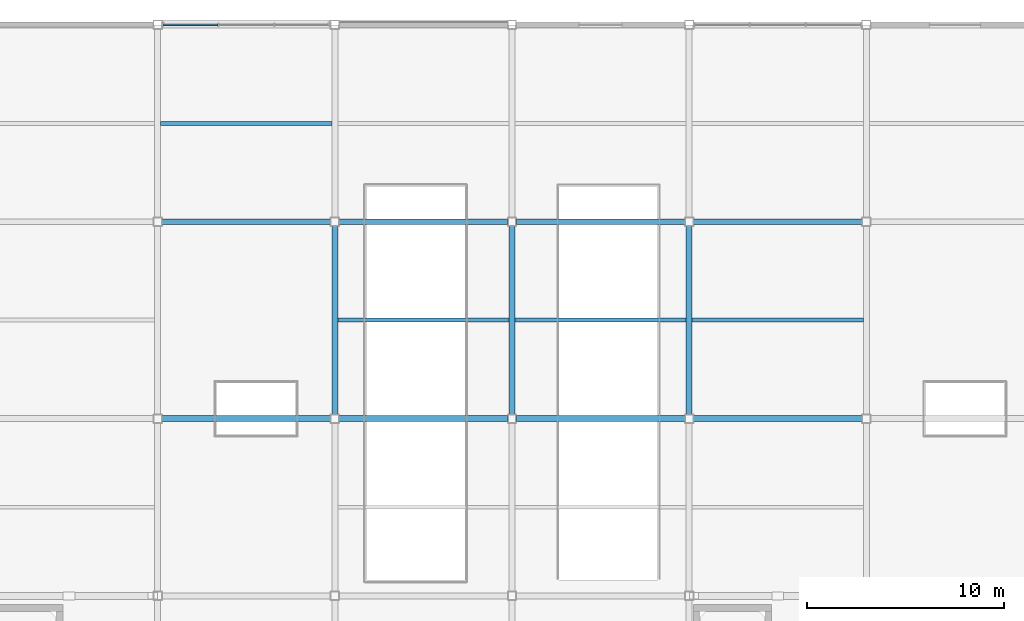
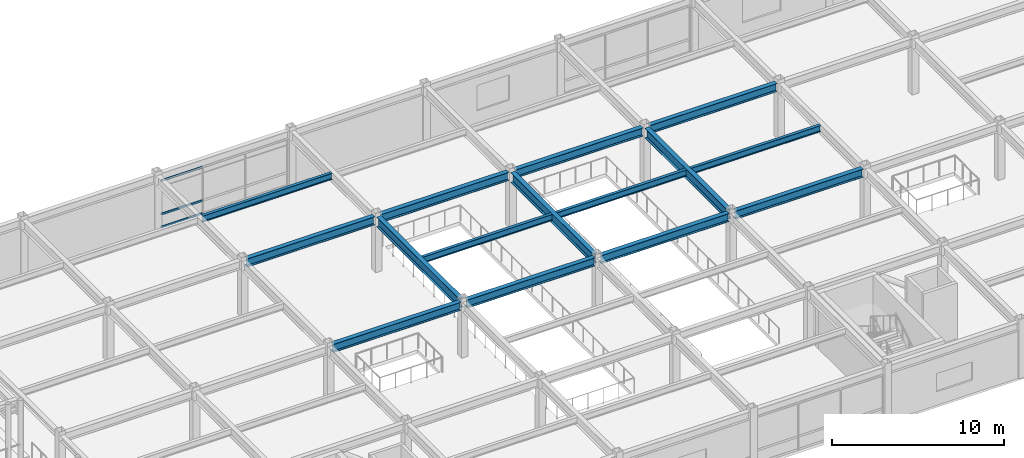
# One storey, part 44 of 105: 15 beams, 3 members, 1 element without a shape of its own.
"""IFC4 building model written with IfcOpenShell, lengths in metres."""

import ifcopenshell
import ifcopenshell.guid

model = None  # the IFC model being written
_history = None  # IfcOwnerHistory: only IFC2X3 demands one
_inside = {}  # id of a spatial element -> (the spatial element, [elements in it])
_under = {}  # id of a project, library or spatial element -> (it, [spatial elements below it])
_declared = {}  # id of a project -> (the project, [libraries it declares])
_typed = {}  # id of a type object -> (the type object, [elements of that type])
_made_of = {}  # id of a material, layer set ... -> (it, [elements and type objects made of it])


def new_model(schema):
    """Start an empty IFC model of exactly this schema.

    Asked for "IFC4X3", IfcOpenShell would pick the latest addendum, in which some entities
    have other attributes; the version numbers below select the first issue.
    IFC2X3 requires an IfcOwnerHistory on every rooted entity: one is made here for all.
    """
    global model, _history
    if schema == "IFC4X3":
        model = ifcopenshell.file(schema_version=(4, 3, 0, 0))
    else:
        model = ifcopenshell.file(schema=schema)
    _inside.clear()
    _under.clear()
    _declared.clear()
    _typed.clear()
    _made_of.clear()
    _history = None
    if model.schema == "IFC2X3":
        org = make("IfcOrganization", Name="unknown")
        user = make(
            "IfcPersonAndOrganization",
            ThePerson=make("IfcPerson", FamilyName="unknown"),
            TheOrganization=org,
        )
        app = make(
            "IfcApplication",
            ApplicationDeveloper=org,
            Version="unknown",
            ApplicationFullName="unknown",
            ApplicationIdentifier="unknown",
        )
        _history = make(
            "IfcOwnerHistory",
            OwningUser=user,
            OwningApplication=app,
            ChangeAction="ADDED",
            CreationDate=0,
        )
    return model


def make(cls, **values):
    """One entity of the class cls with the attributes given. An attribute that is None is left unset."""
    return model.create_entity(
        cls, **{name: value for name, value in values.items() if value is not None}
    )


def rooted(cls, **values):
    """An entity with a GlobalId (a new one), such as an element, a storey or a relation."""
    return make(cls, GlobalId=ifcopenshell.guid.new(), OwnerHistory=_history, **values)


def si_unit(unit_type, name, prefix=None):
    """IfcSIUnit, for example si_unit("LENGTHUNIT", "METRE", prefix="MILLI")."""
    return make("IfcSIUnit", UnitType=unit_type, Prefix=prefix, Name=name)


def assignment(units):
    """IfcUnitAssignment: the units of a project."""
    return None if units is None else make("IfcUnitAssignment", Units=units)


def point(xyz):
    """IfcCartesianPoint."""
    return None if xyz is None else make("IfcCartesianPoint", Coordinates=xyz)


def direction(xyz):
    """IfcDirection."""
    return None if xyz is None else make("IfcDirection", DirectionRatios=xyz)


def frame(location, z_axis=None, x_axis=None):
    """IfcAxis2Placement3D, a coordinate frame: its origin and axes. An axis left out is left unset."""
    return make(
        "IfcAxis2Placement3D",
        Location=point(location),
        Axis=direction(z_axis),
        RefDirection=direction(x_axis),
    )


def frame_2d(location, x_axis=None):
    """IfcAxis2Placement2D, a coordinate frame in the plane: its origin and x axis."""
    return make(
        "IfcAxis2Placement2D", Location=point(location), RefDirection=direction(x_axis)
    )


def origin():
    """The frame at (0, 0, 0) with its axes left unset."""
    return frame((0.0, 0.0, 0.0))


def origin_2d():
    """The frame at (0, 0) in the plane with its x axis left unset."""
    return frame_2d((0.0, 0.0))


def place(relative_to, where):
    """IfcLocalPlacement: puts the frame where relative to a parent placement (None: the world)."""
    return make(
        "IfcLocalPlacement", PlacementRelTo=relative_to, RelativePlacement=where
    )


def context(
    kind, dimensions, precision=None, world=None, true_north=None, identifier=None
):
    """IfcGeometricRepresentationContext, for example the 3D "Model" context."""
    return make(
        "IfcGeometricRepresentationContext",
        ContextIdentifier=identifier,
        ContextType=kind,
        CoordinateSpaceDimension=dimensions,
        Precision=precision,
        WorldCoordinateSystem=world,
        TrueNorth=true_north,
    )


def subcontext(parent, identifier, kind, view, scale=None):
    """IfcGeometricRepresentationSubContext, for example "Body" below "Model"."""
    return make(
        "IfcGeometricRepresentationSubContext",
        ContextIdentifier=identifier,
        ContextType=kind,
        ParentContext=parent,
        TargetScale=scale,
        TargetView=view,
    )


def project(units=None, contexts=None):
    """IfcProject with its units and contexts."""
    return rooted(
        "IfcProject",
        Name="project",
        RepresentationContexts=contexts,
        UnitsInContext=assignment(units),
    )


def spatial(cls, under=None, at=None, **own):
    """A site, building, storey or space (cls), placed at a placement, below another one or the project."""
    s = rooted(cls, ObjectPlacement=at, **own)
    if under is not None:
        _under.setdefault(under.id(), (under, []))[1].append(s)
    return s


def profile(cls, at=None, kind="AREA", **sizes):
    """A parametric profile (cls). Its sizes go by their IFC names, for example OverallWidth=200.0."""
    return make(cls, ProfileType=kind, Position=at, **sizes)


def rectangle(**sizes):
    """IfcRectangleProfileDef."""
    return profile("IfcRectangleProfileDef", **sizes)


def i_section(**sizes):
    """IfcIShapeProfileDef."""
    return profile("IfcIShapeProfileDef", **sizes)


def extrude(swept, where, along, depth):
    """IfcExtrudedAreaSolid: the profile swept, set in the frame where, extruded along a direction by depth."""
    return make(
        "IfcExtrudedAreaSolid",
        SweptArea=swept,
        Position=where,
        ExtrudedDirection=direction(along),
        Depth=depth,
    )


def shape(context_of_items, identifier, shape_type, items):
    """IfcShapeRepresentation: the items that make up one representation, for example the "Body"."""
    return make(
        "IfcShapeRepresentation",
        ContextOfItems=context_of_items,
        RepresentationIdentifier=identifier,
        RepresentationType=shape_type,
        Items=items,
    )


def material(Name=None, Category=None):
    """IfcMaterial."""
    return make("IfcMaterial", Name=Name, Category=Category)


def material_profile(
    of_material, cross_section, Name=None, Category=None, Priority=None
):
    """IfcMaterialProfile: a cross section and its material."""
    return make(
        "IfcMaterialProfile",
        Name=Name,
        Material=of_material,
        Profile=cross_section,
        Priority=Priority,
        Category=Category,
    )


def profile_set(profiles, Name=None, composite=None):
    """IfcMaterialProfileSet."""
    return make(
        "IfcMaterialProfileSet",
        Name=Name,
        MaterialProfiles=profiles,
        CompositeProfile=composite,
    )


def made_of(thing, what):
    """Note that an element or type object is made of a material, layer set ...; save() writes the relation."""
    if what is not None:
        _made_of.setdefault(what.id(), (what, []))[1].append(thing)
    return thing


def type_object(cls, material=None, **own):
    """A type object (cls), such as IfcWallType, which elements share."""
    return made_of(rooted(cls, **own), material)


def element(
    cls,
    number,
    at=None,
    inside=None,
    cuts=None,
    type_object=None,
    material=None,
    context=None,
    identifier="Body",
    shape_type=None,
    held_by="IfcProductDefinitionShape",
    body=None,
    shapes=None,
    **own,
):
    """One element of the class cls, such as IfcWall. Its Tag is "e" and its number.

    at: its placement. inside: the storey or other place that contains it. cuts: it is an
    opening in that element (IfcRelVoidsElement). A single representation is given by context,
    identifier, shape_type and body (its items); several are given by shapes. held_by: the class
    of the entity that holds the representations. save() writes the other relations.
    """
    e = rooted(cls, Tag="e%d" % number, ObjectPlacement=at, **own)
    if body is not None:
        shapes = [shape(context, identifier, shape_type, body)]
    if shapes is not None:
        e.Representation = make(held_by, Representations=shapes)
    if inside is not None:
        _inside.setdefault(inside.id(), (inside, []))[1].append(e)
    if cuts is not None:
        rooted(
            "IfcRelVoidsElement", RelatingBuildingElement=cuts, RelatedOpeningElement=e
        )
    if type_object is not None:
        _typed.setdefault(type_object.id(), (type_object, []))[1].append(e)
    return made_of(e, material)


def aggregate(whole, parts):
    """IfcRelAggregates: a whole, such as a stair, and the parts it consists of."""
    return rooted("IfcRelAggregates", RelatingObject=whole, RelatedObjects=parts)


def save(model, path):
    """Write the relations noted so far, then the file.

    IfcRelAggregates (storeys below a building ...), IfcRelContainedInSpatialStructure (elements
    in a storey), IfcRelDefinesByType, IfcRelAssociatesMaterial and IfcRelDeclares: one each for
    every whole, place, type object, material and project.
    """
    for whole, parts in _under.values():
        aggregate(whole, parts)
    for where, things in _inside.values():
        rooted(
            "IfcRelContainedInSpatialStructure",
            RelatedElements=things,
            RelatingStructure=where,
        )
    for kind, things in _typed.values():
        rooted("IfcRelDefinesByType", RelatedObjects=things, RelatingType=kind)
    for what, things in _made_of.values():
        rooted("IfcRelAssociatesMaterial", RelatedObjects=things, RelatingMaterial=what)
    for by, libraries in _declared.values():
        rooted("IfcRelDeclares", RelatingContext=by, RelatedDefinitions=libraries)
    model.write(path)


model = new_model("IFC4")

# Units and contexts
model_context = context("Model", 3, precision=1e-05, world=origin(), true_north=direction((0.0, 1.0)))
body_context = subcontext(model_context, "Body", "Model", "MODEL_VIEW")
ifc_project = project(units=[si_unit("LENGTHUNIT", "METRE"), si_unit("AREAUNIT", "SQUARE_METRE"), si_unit("VOLUMEUNIT", "CUBIC_METRE"), si_unit("PLANEANGLEUNIT", "RADIAN"), si_unit("MASSUNIT", "GRAM", prefix="KILO")], contexts=[model_context])

# Site, building, storey
site_placement = place(None, origin())
site = spatial("IfcSite", under=ifc_project, at=site_placement, CompositionType="ELEMENT")
building_placement = place(site_placement, origin())
building = spatial("IfcBuilding", under=site, at=building_placement, Name="Suzunagisa Mobility Hub", CompositionType="ELEMENT")
storey_placement = place(building_placement, frame((0.0, 0.0, 5.10009765625)))
storey = spatial("IfcBuildingStorey", under=building, at=storey_placement, Name="L01", CompositionType="ELEMENT", Elevation=5.10009765625)

# Curtain wall, members
ifc_material_1 = material(Name="Thermally Broken Anodized Aluminum and Low-E Glazing", Category="aluminium")
curtain_wall_type = type_object("IfcCurtainWallType", Name="Unitised Curtain Wall CW-29 8500x3400", PredefinedType="USERDEFINED", material=ifc_material_1)
curtain_wall_placement = place(storey_placement, origin())
curtain_wall = element("IfcCurtainWall", 1, at=curtain_wall_placement, inside=storey, type_object=curtain_wall_type, Name="L01 Unitised Curtain Wall CW-108", ObjectType="UNITISED CURTAIN WALL", PredefinedType="USERDEFINED")
ifc_material_2 = material(Name="Anodized Aluminum 6063-T6", Category="aluminium")
ifc_material_profile_1 = material_profile(ifc_material_2, rectangle(XDim=0.06494140625, YDim=0.139892578125, at=origin_2d()), Name="TRAN-65x140")
ifc_profile_set_1 = profile_set([ifc_material_profile_1], Name="Anodized Aluminum 6063-T6")
member_type = type_object("IfcMemberType", Name="Curtain Wall Framing CM-01 TRAN-65x140", PredefinedType="USERDEFINED", material=ifc_profile_set_1)
member_1_placement = place(storey_placement, frame((66.047119140625, 118.0, 0.032470703125), z_axis=(-1.0, 0.0, 0.0), x_axis=(0.0, -1.0, 0.0)))
member_1 = element("IfcMember", 2, at=member_1_placement, type_object=member_type, Name="Curtain Wall Transom 108-T3.1", ObjectType="TRANSOM", PredefinedType="USERDEFINED", context=body_context, shape_type="SweptSolid", body=[
    extrude(rectangle(XDim=0.06494140625, YDim=0.139892578125, at=origin_2d()), origin(), (0.0, 0.0, 1.0), 2.76416015625),
])
member_2_placement = place(storey_placement, frame((66.047119140625, 118.0, 0.949951171875), z_axis=(-1.0, 0.0, 0.0), x_axis=(0.0, -1.0, 0.0)))
member_2 = element("IfcMember", 3, at=member_2_placement, type_object=member_type, Name="Curtain Wall Transom 108-T3.2", ObjectType="TRANSOM", PredefinedType="USERDEFINED", context=body_context, shape_type="SweptSolid", body=[
    extrude(rectangle(XDim=0.06494140625, YDim=0.139892578125, at=origin_2d()), origin(), (0.0, 0.0, 1.0), 2.76416015625),
])
member_3_placement = place(storey_placement, frame((66.047119140625, 118.0, 3.3193359375), z_axis=(-1.0, 0.0, 0.0), x_axis=(0.0, -1.0, 0.0)))
member_3 = element("IfcMember", 4, at=member_3_placement, type_object=member_type, Name="Curtain Wall Transom 108-T3.3", ObjectType="TRANSOM", PredefinedType="USERDEFINED", context=body_context, shape_type="SweptSolid", body=[
    extrude(rectangle(XDim=0.06494140625, YDim=0.139892578125, at=origin_2d()), origin(), (0.0, 0.0, 1.0), 2.76416015625),
])
aggregate(curtain_wall, [member_1, member_2, member_3])

# Beams
ifc_material_3 = material(Name="Steel SN400B", Category="steel")
ifc_material_profile_2 = material_profile(ifc_material_3, i_section(OverallWidth=0.199951171875, OverallDepth=0.449951171875, WebThickness=0.009033203125, FlangeThickness=0.013916015625, FilletRadius=0.012939453125, at=origin_2d()), Name="H-450x200x9x14")
ifc_profile_set_2 = profile_set([ifc_material_profile_2], Name="Steel SN400B")
beam_type_1 = type_object("IfcBeamType", Name="Steel Beam BM-05 H-450x200x9x14", PredefinedType="JOIST", material=ifc_profile_set_2)
for number, where, z_axis, x_axis, name in (
    (5, (63.14990234375, 113.0, 3.71484375), (1.0, 0.0, 0.0), (0.0, 1.0, 0.0), "L01 Composite Floor Joist J-894"),
    (6, (72.14990234375, 103.0, 3.71484375), (1.0, 0.0, 0.0), (0.0, 1.0, 0.0), "L01 Composite Floor Joist J-897"),
    (7, (81.14990234375, 103.0, 3.71484375), (1.0, 0.0, 0.0), (0.0, 1.0, 0.0), "L01 Composite Floor Joist J-901"),
    (8, (90.14990234375, 103.0, 3.71484375), (1.0, 0.0, 0.0), (0.0, 1.0, 0.0), "L01 Composite Floor Joist J-904"),
):
    element("IfcBeam", number, at=place(storey_placement, frame(where, z_axis=z_axis, x_axis=x_axis)), inside=storey, type_object=beam_type_1, Name=name, PredefinedType="JOIST", context=body_context, shape_type="SweptSolid", body=[
        extrude(i_section(OverallWidth=0.199951171875, OverallDepth=0.449951171875, WebThickness=0.009033203125, FlangeThickness=0.013916015625, FilletRadius=0.012939453125, at=origin_2d()), origin(), (0.0, 0.0, 1.0), 8.7001953125),
    ])
ifc_material_4 = material(Name="Steel SN490B", Category="steel")
ifc_material_profile_3 = material_profile(ifc_material_4, i_section(OverallWidth=0.300048828125, OverallDepth=0.699951171875, WebThickness=0.012939453125, FlangeThickness=0.02392578125, FilletRadius=0.01806640625, at=origin_2d()), Name="H-700x300x13x24")
ifc_profile_set_3 = profile_set([ifc_material_profile_3], Name="Steel SN490B")
beam_type_2 = type_object("IfcBeamType", Name="Steel Beam BM-11 H-700x300x13x24", PredefinedType="BEAM", material=ifc_profile_set_3)
for number, where, z_axis, x_axis, name in (
    (9, (72.0, 98.220947265625, 3.58984375), (0.0, 1.0, 0.0), (-1.0, 0.0, 0.0), "L01 Primary Girder GY-860"),
    (10, (81.0, 98.220947265625, 3.58984375), (0.0, 1.0, 0.0), (-1.0, 0.0, 0.0), "L01 Primary Girder GY-864"),
    (11, (90.0, 98.220947265625, 3.58984375), (0.0, 1.0, 0.0), (-1.0, 0.0, 0.0), "L01 Primary Girder GY-868"),
):
    element("IfcBeam", number, at=place(storey_placement, frame(where, z_axis=z_axis, x_axis=x_axis)), inside=storey, type_object=beam_type_2, Name=name, PredefinedType="BEAM", context=body_context, shape_type="SweptSolid", body=[
        extrude(i_section(OverallWidth=0.300048828125, OverallDepth=0.699951171875, WebThickness=0.012939453125, FlangeThickness=0.02392578125, FilletRadius=0.01806640625, at=origin_2d()), origin(), (0.0, 0.0, 1.0), 9.55810546875),
    ])
ifc_material_profile_4 = material_profile(ifc_material_4, i_section(OverallWidth=0.300048828125, OverallDepth=0.587890625, WebThickness=0.011962890625, FlangeThickness=0.02001953125, FilletRadius=0.012939453125, at=origin_2d()), Name="H-588x300x12x20")
ifc_profile_set_4 = profile_set([ifc_material_profile_4], Name="Steel SN490B")
beam_type_3 = type_object("IfcBeamType", Name="Steel Beam BM-16 H-588x300x12x20", PredefinedType="BEAM", material=ifc_profile_set_4)
for number, where, z_axis, x_axis, name in (
    (12, (63.220947265625, 98.0, 3.64599609375), (1.0, 0.0, 0.0), (0.0, 1.0, 0.0), "L01 Primary Girder GX-822"),
    (13, (72.220947265625, 98.0, 3.64599609375), (1.0, 0.0, 0.0), (0.0, 1.0, 0.0), "L01 Primary Girder GX-823"),
    (14, (81.220947265625, 98.0, 3.64599609375), (1.0, 0.0, 0.0), (0.0, 1.0, 0.0), "L01 Primary Girder GX-824"),
    (15, (90.220947265625, 98.0, 3.64599609375), (1.0, 0.0, 0.0), (0.0, 1.0, 0.0), "L01 Primary Girder GX-825"),
    (16, (63.220947265625, 108.0, 3.64599609375), (1.0, 0.0, 0.0), (0.0, 1.0, 0.0), "L01 Primary Girder GX-831"),
    (17, (72.220947265625, 108.0, 3.64599609375), (1.0, 0.0, 0.0), (0.0, 1.0, 0.0), "L01 Primary Girder GX-832"),
    (18, (81.220947265625, 108.0, 3.64599609375), (1.0, 0.0, 0.0), (0.0, 1.0, 0.0), "L01 Primary Girder GX-833"),
    (19, (90.220947265625, 108.0, 3.64599609375), (1.0, 0.0, 0.0), (0.0, 1.0, 0.0), "L01 Primary Girder GX-834"),
):
    element("IfcBeam", number, at=place(storey_placement, frame(where, z_axis=z_axis, x_axis=x_axis)), inside=storey, type_object=beam_type_3, Name=name, PredefinedType="BEAM", context=body_context, shape_type="SweptSolid", body=[
        extrude(i_section(OverallWidth=0.300048828125, OverallDepth=0.587890625, WebThickness=0.011962890625, FlangeThickness=0.02001953125, FilletRadius=0.012939453125, at=origin_2d()), origin(), (0.0, 0.0, 1.0), 8.55810546875),
    ])

save(model, "model.ifc")
